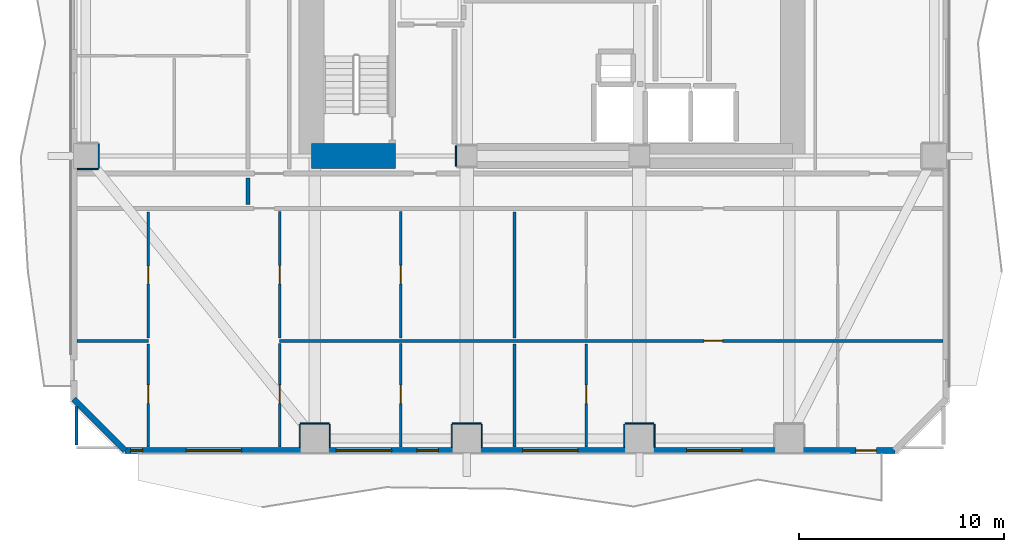
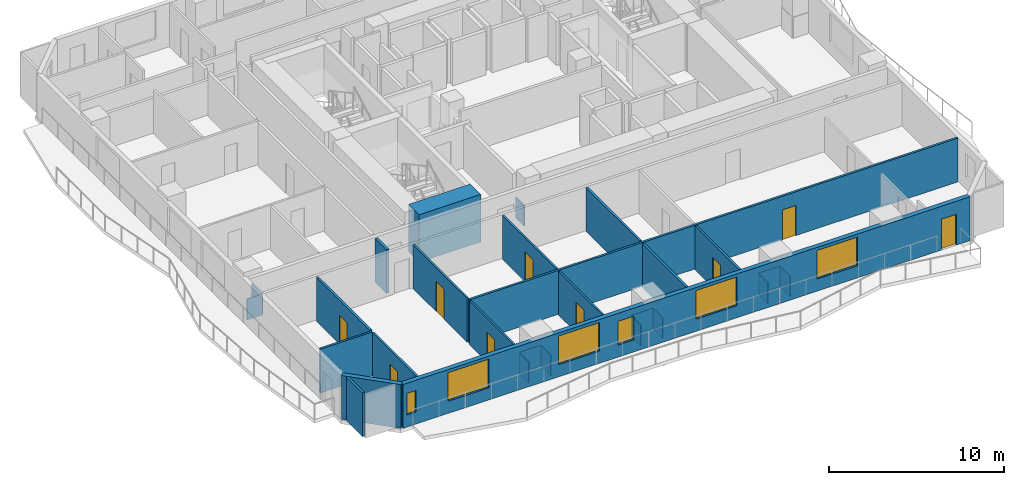
# One storey, part 2 of 11: 28 walls, 9 doors, 6 windows, 15 openings.
"""IFC4 building model written with IfcOpenShell, lengths in metres."""

from ifc_helpers import new_model, si_unit, direction, frame, frame_2d, origin, place, context, subcontext, project, spatial, rectangle, extrude, material, layer, layer_set, type_object, element, fill, save


model = new_model("IFC4")

# Units and contexts
model_context = context("Model", 3, precision=1e-05, world=origin(), true_north=direction((0.0, 1.0)))
body_context = subcontext(model_context, "Body", "Model", "MODEL_VIEW")
ifc_project = project(units=[si_unit("LENGTHUNIT", "METRE"), si_unit("AREAUNIT", "SQUARE_METRE"), si_unit("VOLUMEUNIT", "CUBIC_METRE"), si_unit("PLANEANGLEUNIT", "RADIAN"), si_unit("MASSUNIT", "GRAM", prefix="KILO")], contexts=[model_context])

# Site, building, storey
site_placement = place(None, origin())
site = spatial("IfcSite", under=ifc_project, at=site_placement, CompositionType="ELEMENT")
building_placement = place(site_placement, origin())
building = spatial("IfcBuilding", under=site, at=building_placement, Name="Solanera Arch Residences", CompositionType="ELEMENT")
storey_placement = place(building_placement, frame((0.0, 0.0, 28.639892578125)))
storey = spatial("IfcBuildingStorey", under=building, at=storey_placement, Name="L07", CompositionType="ELEMENT", Elevation=28.639892578125)

# Walls
ifc_material_1 = material(Name="Fire-Rated Gypsum Stud Partition", Category="gypsum")
ifc_layer_1 = layer(ifc_material_1, 0.06005859375)
ifc_layer_set_1 = layer_set([ifc_layer_1], Name="Fire-Rated Gypsum Stud Partition")
wall_type_1 = type_object("IfcWallType", Name="Column Acoustic Furring Wall 60", PredefinedType="PARTITIONING", material=ifc_layer_set_1)
wall_1_placement = place(storey_placement, frame((20.26806640625, 21.5, 0.0), z_axis=(0.0, 0.0, 1.0), x_axis=(0.0, 1.0, 0.0)))
element("IfcWall", 1, at=wall_1_placement, inside=storey, type_object=wall_type_1, Name="L07 Column Furring 1W", PredefinedType="PARTITIONING", context=body_context, shape_type="SweptSolid", body=[
    extrude(rectangle(XDim=1.0, YDim=0.06005859375, at=frame_2d((0.5, 0.0))), origin(), (0.0, 0.0, 1.0), 1.4501953125),
])
wall_2_placement = place(storey_placement, frame((12.699951171875, 8.98193359375, 0.0), z_axis=(0.0, 0.0, 1.0), x_axis=(1.0, 0.0, 0.0)))
element("IfcWall", 2, at=wall_2_placement, inside=storey, type_object=wall_type_1, Name="L07 Column Furring 9N", PredefinedType="PARTITIONING", context=body_context, shape_type="SweptSolid", body=[
    extrude(rectangle(XDim=1.400146484375, YDim=0.06005859375, at=frame_2d((0.7001953125, 0.0))), origin(), (0.0, 0.0, 1.0), 1.4501953125),
])
for number, where, z_axis, x_axis, name in (
    (3, (12.66796875, 7.830078125, 0.0), (0.0, 0.0, 1.0), (0.0, 1.0, 0.0), "L07 Column Furring 9W"),
    (4, (14.132080078125, 7.830078125, 0.0), (0.0, 0.0, 1.0), (0.0, 1.0, 0.0), "L07 Column Furring 9E"),
):
    element("IfcWall", number, at=place(storey_placement, frame(where, z_axis=z_axis, x_axis=x_axis)), inside=storey, type_object=wall_type_1, Name=name, PredefinedType="PARTITIONING", context=body_context, shape_type="SweptSolid", body=[
        extrude(rectangle(XDim=1.119873046875, YDim=0.06005859375, at=frame_2d((0.56005859375, 0.0))), origin(), (0.0, 0.0, 1.0), 1.4501953125),
    ])
wall_3_placement = place(storey_placement, frame((20.10009765625, 8.98193359375, 0.0), z_axis=(0.0, 0.0, 1.0), x_axis=(1.0, 0.0, 0.0)))
element("IfcWall", 5, at=wall_3_placement, inside=storey, type_object=wall_type_1, Name="L07 Column Furring 11N", PredefinedType="PARTITIONING", context=body_context, shape_type="SweptSolid", body=[
    extrude(rectangle(XDim=1.39990234375, YDim=0.06005859375, at=frame_2d((0.699951171875, 0.0))), origin(), (0.0, 0.0, 1.0), 1.4501953125),
])
for number, where, z_axis, x_axis, name in (
    (6, (20.068115234375, 7.830078125, 0.0), (0.0, 0.0, 1.0), (0.0, 1.0, 0.0), "L07 Column Furring 11W"),
    (7, (21.531982421875, 7.830078125, 0.0), (0.0, 0.0, 1.0), (0.0, 1.0, 0.0), "L07 Column Furring 11E"),
):
    element("IfcWall", number, at=place(storey_placement, frame(where, z_axis=z_axis, x_axis=x_axis)), inside=storey, type_object=wall_type_1, Name=name, PredefinedType="PARTITIONING", context=body_context, shape_type="SweptSolid", body=[
        extrude(rectangle(XDim=1.119873046875, YDim=0.06005859375, at=frame_2d((0.56005859375, 0.0))), origin(), (0.0, 0.0, 1.0), 1.4501953125),
    ])
wall_4_placement = place(storey_placement, frame((28.5, 8.98193359375, 0.0), z_axis=(0.0, 0.0, 1.0), x_axis=(1.0, 0.0, 0.0)))
element("IfcWall", 8, at=wall_4_placement, inside=storey, type_object=wall_type_1, Name="L07 Column Furring 13N", PredefinedType="PARTITIONING", context=body_context, shape_type="SweptSolid", body=[
    extrude(rectangle(XDim=1.39990234375, YDim=0.06005859375, at=frame_2d((0.699951171875, 0.0))), origin(), (0.0, 0.0, 1.0), 1.4501953125),
])
for number, where, z_axis, x_axis, name in (
    (9, (28.468017578125, 7.830078125, 0.0), (0.0, 0.0, 1.0), (0.0, 1.0, 0.0), "L07 Column Furring 13W"),
    (10, (29.931884765625, 7.830078125, 0.0), (0.0, 0.0, 1.0), (0.0, 1.0, 0.0), "L07 Column Furring 13E"),
):
    element("IfcWall", number, at=place(storey_placement, frame(where, z_axis=z_axis, x_axis=x_axis)), inside=storey, type_object=wall_type_1, Name=name, PredefinedType="PARTITIONING", context=body_context, shape_type="SweptSolid", body=[
        extrude(rectangle(XDim=1.119873046875, YDim=0.06005859375, at=frame_2d((0.56005859375, 0.0))), origin(), (0.0, 0.0, 1.0), 1.4501953125),
    ])
wall_5_placement = place(storey_placement, frame((1.830078125, 21.367919921875, 0.0), z_axis=(0.0, 0.0, 1.0), x_axis=(1.0, 0.0, 0.0)))
element("IfcWall", 11, at=wall_5_placement, inside=storey, type_object=wall_type_1, Name="L07 Column Furring 17S", PredefinedType="PARTITIONING", context=body_context, shape_type="SweptSolid", body=[
    extrude(rectangle(XDim=1.02001953125, YDim=0.06005859375, at=frame_2d((0.510009765625, 0.0))), origin(), (0.0, 0.0, 1.0), 1.4501953125),
])
wall_6_placement = place(storey_placement, frame((2.882080078125, 21.39990234375, 0.0), z_axis=(0.0, 0.0, 1.0), x_axis=(0.0, 1.0, 0.0)))
element("IfcWall", 12, at=wall_6_placement, inside=storey, type_object=wall_type_1, Name="L07 Column Furring 17E", PredefinedType="PARTITIONING", context=body_context, shape_type="SweptSolid", body=[
    extrude(rectangle(XDim=1.2001953125, YDim=0.06005859375, at=frame_2d((0.60009765625, 0.0))), origin(), (0.0, 0.0, 1.0), 1.4501953125),
])
ifc_material_2 = material(Name="Concrete C55/67 (f'c = 60 MPa)", Category="concrete")
ifc_layer_2 = layer(ifc_material_2, 1.199951171875)
ifc_layer_set_2 = layer_set([ifc_layer_2], Name="Concrete C55/67 (f'c = 60 MPa)")
wall_type_2 = type_object("IfcWallType", Name="Core Shear Wall CW-1200", PredefinedType="SHEAR", material=ifc_layer_set_2)
wall_7_placement = place(storey_placement, frame((13.239990234375, 22.0, 0.0), z_axis=(0.0, 0.0, 1.0), x_axis=(1.0, 0.0, 0.0)))
element("IfcWall", 13, at=wall_7_placement, inside=storey, type_object=wall_type_2, Name="L07 South-West Core Shear Wall", PredefinedType="SHEAR", context=body_context, shape_type="SweptSolid", body=[
    extrude(rectangle(XDim=4.080078125, YDim=1.199951171875, at=frame_2d((2.0400390625, 0.0))), origin(), (0.0, 0.0, 1.0), 3.320068359375),
])
ifc_material_3 = material(Name="Autoclaved Aerated Concrete Blockwork", Category="masonry")
ifc_layer_3 = layer(ifc_material_3, 0.179931640625)
ifc_layer_set_3 = layer_set([ifc_layer_3], Name="Autoclaved Aerated Concrete Blockwork")
wall_type_3 = type_object("IfcWallType", Name="Corridor Fire Partition 180", PredefinedType="PARTITIONING", material=ifc_layer_set_3)
wall_8_placement = place(storey_placement, frame((10.14990234375, 19.637939453125, 0.0), z_axis=(0.0, 0.0, 1.0), x_axis=(0.0, 1.0, 0.0)))
element("IfcWall", 14, at=wall_8_placement, inside=storey, type_object=wall_type_3, Name="L07 Interior Partition V8 1", PredefinedType="PARTITIONING", context=body_context, shape_type="SweptSolid", body=[
    extrude(rectangle(XDim=1.2939453125, YDim=0.179931640625, at=frame_2d((0.64697265625, 0.0))), origin(), (0.0, 0.0, 1.0), 3.06005859375),
])

# Wall, openings, door, windows
ifc_material_4 = material(Name="Precast Concrete C35/45", Category="concrete")
ifc_layer_4 = layer(ifc_material_4, 0.300048828125)
ifc_layer_set_4 = layer_set([ifc_layer_4], Name="Precast Concrete C35/45")
wall_type_4 = type_object("IfcWallType", Name="Exterior Wall Precast Masonry-Frame 300", PredefinedType="STANDARD", material=ifc_layer_set_4)
wall_9_placement = place(storey_placement, frame((41.635009765625, 7.6650390625, 0.0), z_axis=(0.0, 0.0, 1.0), x_axis=(-1.0, 0.0, 0.0)))
wall_9 = element("IfcWall", 15, at=wall_9_placement, inside=storey, type_object=wall_type_4, Name="L07 Tower Exterior Precast Masonry-Frame Wall S", PredefinedType="STANDARD", context=body_context, shape_type="SweptSolid", body=[
    extrude(rectangle(XDim=37.469970703125, YDim=0.300048828125, at=frame_2d((18.73486328125, 0.0))), origin(), (0.0, 0.0, 1.0), 3.06005859375),
])
opening_1_placement = place(wall_9_placement, frame((0.90087890625, 0.0, 0.0)))
opening_1 = element("IfcOpeningElement", 16, at=opening_1_placement, cuts=wall_9, Name="Opening DB-01", PredefinedType="OPENING", context=body_context, shape_type="SweptSolid", body=[
    extrude(rectangle(XDim=1.0, YDim=2.14990234375, at=frame_2d((0.5, 1.074951171875))), frame((0.0, 0.159912109375, 0.0), z_axis=(0.0, -1.0, 0.0), x_axis=(1.0, 0.0, 0.0)), (0.0, 0.0, 1.0), 0.32),
])
opening_2_placement = place(wall_9_placement, frame((31.794921875, 0.0, 0.85009765625)))
opening_2 = element("IfcOpeningElement", 17, at=opening_2_placement, cuts=wall_9, Name="Opening W-09", PredefinedType="OPENING", context=body_context, shape_type="SweptSolid", body=[
    extrude(rectangle(XDim=2.699951171875, YDim=2.0, at=frame_2d((1.35009765625, 1.0))), frame((0.0, 0.159912109375, 0.0), z_axis=(0.0, -1.0, 0.0), x_axis=(1.0, 0.0, 0.0)), (0.0, 0.0, 1.0), 0.32),
])
opening_3_placement = place(wall_9_placement, frame((36.62109375, 0.0, 0.85009765625)))
opening_3 = element("IfcOpeningElement", 18, at=opening_3_placement, cuts=wall_9, Name="Opening W-14", PredefinedType="OPENING", context=body_context, shape_type="SweptSolid", body=[
    extrude(rectangle(XDim=0.580078125, YDim=1.5, at=frame_2d((0.2900390625, 0.75))), frame((0.0, 0.159912109375, 0.0), z_axis=(0.0, -1.0, 0.0), x_axis=(1.0, 0.0, 0.0)), (0.0, 0.0, 1.0), 0.32),
])
opening_4_placement = place(wall_9_placement, frame((24.4951171875, 0.0, 0.85009765625)))
opening_4 = element("IfcOpeningElement", 19, at=opening_4_placement, cuts=wall_9, Name="Opening W-09", PredefinedType="OPENING", context=body_context, shape_type="SweptSolid", body=[
    extrude(rectangle(XDim=2.699951171875, YDim=2.0, at=frame_2d((1.35009765625, 1.0))), frame((0.0, 0.159912109375, 0.0), z_axis=(0.0, -1.0, 0.0), x_axis=(1.0, 0.0, 0.0)), (0.0, 0.0, 1.0), 0.32),
])
opening_5_placement = place(wall_9_placement, frame((22.220947265625, 0.0, 0.85009765625)))
opening_5 = element("IfcOpeningElement", 20, at=opening_5_placement, cuts=wall_9, Name="Opening W-07", PredefinedType="OPENING", context=body_context, shape_type="SweptSolid", body=[
    extrude(rectangle(XDim=1.050048828125, YDim=1.64990234375, at=frame_2d((0.52490234375, 0.824951171875))), frame((0.0, 0.159912109375, 0.0), z_axis=(0.0, -1.0, 0.0), x_axis=(1.0, 0.0, 0.0)), (0.0, 0.0, 1.0), 0.32),
])
opening_6_placement = place(wall_9_placement, frame((7.43505859375, 0.0, 0.85009765625)))
opening_6 = element("IfcOpeningElement", 21, at=opening_6_placement, cuts=wall_9, Name="Opening W-09", PredefinedType="OPENING", context=body_context, shape_type="SweptSolid", body=[
    extrude(rectangle(XDim=2.699951171875, YDim=2.0, at=frame_2d((1.35009765625, 1.0))), frame((0.0, 0.159912109375, 0.0), z_axis=(0.0, -1.0, 0.0), x_axis=(1.0, 0.0, 0.0)), (0.0, 0.0, 1.0), 0.32),
])
opening_7_placement = place(wall_9_placement, frame((15.4189453125, 0.0, 0.85009765625)))
opening_7 = element("IfcOpeningElement", 22, at=opening_7_placement, cuts=wall_9, Name="Opening W-09", PredefinedType="OPENING", context=body_context, shape_type="SweptSolid", body=[
    extrude(rectangle(XDim=2.699951171875, YDim=2.0, at=frame_2d((1.35009765625, 1.0))), frame((0.0, 0.159912109375, 0.0), z_axis=(0.0, -1.0, 0.0), x_axis=(1.0, 0.0, 0.0)), (0.0, 0.0, 1.0), 0.32),
])
ifc_material_5 = material(Name="Anodised Aluminium Alloy 6063-T6", Category="aluminium")
door_type_1 = type_object("IfcDoorType", Name="Glazed Balcony Swing Door DB-01", OperationType="NOTDEFINED", PredefinedType="DOOR", material=ifc_material_5)
door_1_placement = place(opening_1_placement, origin())
door_1 = element("IfcDoor", 23, at=door_1_placement, inside=storey, type_object=door_type_1, Name="DR-L07-OUT-01", OperationType="SINGLE_SWING_LEFT", OverallHeight=2.14990234375, OverallWidth=1.0, PredefinedType="DOOR", context=body_context, shape_type="SweptSolid", body=[
    extrude(rectangle(XDim=1.0, YDim=2.14990234375, at=frame_2d((0.5, 1.074951171875))), frame((0.0, 0.02490234375, 0.0), z_axis=(0.0, -1.0, 0.0), x_axis=(1.0, 0.0, 0.0)), (0.0, 0.0, 1.0), 0.050048828125),
])
fill(opening_1, door_1)
ifc_material_6 = material(Name="Double Glazed Low-E Laminated Glass", Category="glass")
window_type_1 = type_object("IfcWindowType", Name="Punched Window W-07", PartitioningType="SINGLE_PANEL", PredefinedType="WINDOW", material=ifc_material_6)
window_1_placement = place(opening_5_placement, origin())
window_1 = element("IfcWindow", 24, at=window_1_placement, inside=storey, type_object=window_type_1, Name="L07 0701-BR3 Punched Window", OverallHeight=1.64990234375, OverallWidth=1.050048828125, PartitioningType="SINGLE_PANEL", PredefinedType="WINDOW", context=body_context, shape_type="SweptSolid", body=[
    extrude(rectangle(XDim=1.050048828125, YDim=1.64990234375, at=frame_2d((0.52490234375, 0.824951171875))), frame((0.0, 0.030029296875, 0.0), z_axis=(0.0, -1.0, 0.0), x_axis=(1.0, 0.0, 0.0)), (0.0, 0.0, 1.0), 0.06005859375),
])
fill(opening_5, window_1)
ifc_material_7 = material(Name="Double Glazed Low-E Laminated Glass", Category="glass")
window_type_2 = type_object("IfcWindowType", Name="Punched Window W-09", PartitioningType="TRIPLE_PANEL_VERTICAL", PredefinedType="WINDOW", material=ifc_material_7)
window_2_placement = place(opening_2_placement, origin())
window_2 = element("IfcWindow", 25, at=window_2_placement, inside=storey, type_object=window_type_2, Name="L07 0701-LIV Punched Window", OverallHeight=2.0, OverallWidth=2.699951171875, PartitioningType="SINGLE_PANEL", PredefinedType="WINDOW", context=body_context, shape_type="SweptSolid", body=[
    extrude(rectangle(XDim=2.699951171875, YDim=2.0, at=frame_2d((1.35009765625, 1.0))), frame((0.0, 0.030029296875, 0.0), z_axis=(0.0, -1.0, 0.0), x_axis=(1.0, 0.0, 0.0)), (0.0, 0.0, 1.0), 0.06005859375),
])
fill(opening_2, window_2)
window_3_placement = place(opening_4_placement, origin())
window_3 = element("IfcWindow", 26, at=window_3_placement, inside=storey, type_object=window_type_2, Name="L07 0701-BR2 Punched Window", OverallHeight=2.0, OverallWidth=2.699951171875, PartitioningType="SINGLE_PANEL", PredefinedType="WINDOW", context=body_context, shape_type="SweptSolid", body=[
    extrude(rectangle(XDim=2.699951171875, YDim=2.0, at=frame_2d((1.35009765625, 1.0))), frame((0.0, 0.030029296875, 0.0), z_axis=(0.0, -1.0, 0.0), x_axis=(1.0, 0.0, 0.0)), (0.0, 0.0, 1.0), 0.06005859375),
])
fill(opening_4, window_3)
window_4_placement = place(opening_6_placement, origin())
window_4 = element("IfcWindow", 27, at=window_4_placement, inside=storey, type_object=window_type_2, Name="L07 0702-LIV Punched Window", OverallHeight=2.0, OverallWidth=2.699951171875, PartitioningType="SINGLE_PANEL", PredefinedType="WINDOW", context=body_context, shape_type="SweptSolid", body=[
    extrude(rectangle(XDim=2.699951171875, YDim=2.0, at=frame_2d((1.35009765625, 1.0))), frame((0.0, 0.030029296875, 0.0), z_axis=(0.0, -1.0, 0.0), x_axis=(1.0, 0.0, 0.0)), (0.0, 0.0, 1.0), 0.06005859375),
])
fill(opening_6, window_4)
window_5_placement = place(opening_7_placement, origin())
window_5 = element("IfcWindow", 28, at=window_5_placement, inside=storey, type_object=window_type_2, Name="L07 0702-BR1 Punched Window", OverallHeight=2.0, OverallWidth=2.699951171875, PartitioningType="SINGLE_PANEL", PredefinedType="WINDOW", context=body_context, shape_type="SweptSolid", body=[
    extrude(rectangle(XDim=2.699951171875, YDim=2.0, at=frame_2d((1.35009765625, 1.0))), frame((0.0, 0.030029296875, 0.0), z_axis=(0.0, -1.0, 0.0), x_axis=(1.0, 0.0, 0.0)), (0.0, 0.0, 1.0), 0.06005859375),
])
fill(opening_7, window_5)
ifc_material_8 = material(Name="Double Glazed Low-E Laminated Glass", Category="glass")
window_type_3 = type_object("IfcWindowType", Name="Punched Window W-14", PartitioningType="SINGLE_PANEL", PredefinedType="WINDOW", material=ifc_material_8)
window_6_placement = place(opening_3_placement, origin())
window_6 = element("IfcWindow", 29, at=window_6_placement, inside=storey, type_object=window_type_3, Name="L07 0701-BR1 Punched Window", OverallHeight=1.5, OverallWidth=0.580078125, PartitioningType="SINGLE_PANEL", PredefinedType="WINDOW", context=body_context, shape_type="SweptSolid", body=[
    extrude(rectangle(XDim=0.580078125, YDim=1.5, at=frame_2d((0.2900390625, 0.75))), frame((0.0, 0.030029296875, 0.0), z_axis=(0.0, -1.0, 0.0), x_axis=(1.0, 0.0, 0.0)), (0.0, 0.0, 1.0), 0.06005859375),
])
fill(opening_3, window_6)

# Wall
wall_10_placement = place(storey_placement, frame((4.1650390625, 7.6650390625, 0.0), z_axis=(0.0, 0.0, 1.0), x_axis=(-0.707106781187, 0.707106781187, 0.0)))
element("IfcWall", 30, at=wall_10_placement, inside=storey, type_object=wall_type_4, Name="L07 Tower Exterior Precast Masonry-Frame Wall CH7", PredefinedType="STANDARD", context=body_context, shape_type="SweptSolid", body=[
    extrude(rectangle(XDim=3.53564453125, YDim=0.300048828125, at=frame_2d((1.767822265625, 0.0))), origin(), (0.0, 0.0, 1.0), 3.06005859375),
])

# Wall, opening, door
ifc_material_9 = material(Name="Fire-Rated Gypsum Stud Partition", Category="gypsum")
ifc_layer_5 = layer(ifc_material_9, 0.1201171875)
ifc_layer_set_5 = layer_set([ifc_layer_5], Name="Fire-Rated Gypsum Stud Partition")
wall_type_5 = type_object("IfcWallType", Name="Unit Drywall Partition 120", PredefinedType="PARTITIONING", material=ifc_layer_set_5)
wall_11_placement = place(storey_placement, frame((11.68798828125, 7.826904296875, 0.0), z_axis=(0.0, 0.0, 1.0), x_axis=(0.0, 1.0, 0.0)))
wall_11 = element("IfcWall", 31, at=wall_11_placement, inside=storey, type_object=wall_type_5, Name="L07 Interior Partition V22 1", PredefinedType="PARTITIONING", context=body_context, shape_type="SweptSolid", body=[
    extrude(rectangle(XDim=5.03515625, YDim=0.1201171875, at=frame_2d((2.517578125, 0.0))), origin(), (0.0, 0.0, 1.0), 3.06005859375),
])
opening_8_placement = place(wall_11_placement, frame((2.135986328125, 0.0, 0.0)))
opening_8 = element("IfcOpeningElement", 32, at=opening_8_placement, cuts=wall_11, Name="Opening DI-03", PredefinedType="OPENING", context=body_context, shape_type="SweptSolid", body=[
    extrude(rectangle(XDim=0.89990234375, YDim=2.10009765625, at=frame_2d((0.449951171875, 1.050048828125))), frame((0.0, 0.070068359375, 0.0), z_axis=(0.0, -1.0, 0.0), x_axis=(1.0, 0.0, 0.0)), (0.0, 0.0, 1.0), 0.1401),
])
ifc_material_10 = material(Name="Fire-Rated Architectural Hardwood", Category="wood")
door_type_2 = type_object("IfcDoorType", Name="Bedroom Swing Door DI-03", OperationType="NOTDEFINED", PredefinedType="DOOR", material=ifc_material_10)
door_2_placement = place(opening_8_placement, origin())
door_2 = element("IfcDoor", 33, at=door_2_placement, inside=storey, type_object=door_type_2, Name="DR-L07-IN-020", OperationType="SINGLE_SWING_LEFT", OverallHeight=2.10009765625, OverallWidth=0.89990234375, PredefinedType="DOOR", context=body_context, shape_type="SweptSolid", body=[
    extrude(rectangle(XDim=0.89990234375, YDim=2.10009765625, at=frame_2d((0.449951171875, 1.050048828125))), frame((0.0, 0.02490234375, 0.0), z_axis=(0.0, -1.0, 0.0), x_axis=(1.0, 0.0, 0.0)), (0.0, 0.0, 1.0), 0.050048828125),
])
fill(opening_8, door_2)

wall_12_placement = place(storey_placement, frame((11.68798828125, 13.137939453125, 0.0), z_axis=(0.0, 0.0, 1.0), x_axis=(0.0, 1.0, 0.0)))
wall_12 = element("IfcWall", 34, at=wall_12_placement, inside=storey, type_object=wall_type_5, Name="L07 Interior Partition V22 2", PredefinedType="PARTITIONING", context=body_context, shape_type="SweptSolid", body=[
    extrude(rectangle(XDim=6.154052734375, YDim=0.1201171875, at=frame_2d((3.0771484375, 0.0))), origin(), (0.0, 0.0, 1.0), 3.06005859375),
])
opening_9_placement = place(wall_12_placement, frame((2.6240234375, 0.0, 0.0)))
opening_9 = element("IfcOpeningElement", 35, at=opening_9_placement, cuts=wall_12, Name="Opening DI-02", PredefinedType="OPENING", context=body_context, shape_type="SweptSolid", body=[
    extrude(rectangle(XDim=0.89990234375, YDim=2.10009765625, at=frame_2d((0.449951171875, 1.050048828125))), frame((0.0, 0.070068359375, 0.0), z_axis=(0.0, -1.0, 0.0), x_axis=(1.0, 0.0, 0.0)), (0.0, 0.0, 1.0), 0.1401),
])
ifc_material_11 = material(Name="Fire-Rated Architectural Hardwood", Category="wood")
door_type_3 = type_object("IfcDoorType", Name="Suite Room Swing Door DI-02", OperationType="NOTDEFINED", PredefinedType="DOOR", material=ifc_material_11)
door_3_placement = place(opening_9_placement, origin())
door_3 = element("IfcDoor", 36, at=door_3_placement, inside=storey, type_object=door_type_3, Name="DR-L07-IN-018", OperationType="SINGLE_SWING_LEFT", OverallHeight=2.10009765625, OverallWidth=0.89990234375, PredefinedType="DOOR", context=body_context, shape_type="SweptSolid", body=[
    extrude(rectangle(XDim=0.89990234375, YDim=2.10009765625, at=frame_2d((0.449951171875, 1.050048828125))), frame((0.0, 0.02490234375, 0.0), z_axis=(0.0, -1.0, 0.0), x_axis=(1.0, 0.0, 0.0)), (0.0, 0.0, 1.0), 0.050048828125),
])
fill(opening_9, door_3)

wall_13_placement = place(storey_placement, frame((17.5791015625, 7.826904296875, 0.0), z_axis=(0.0, 0.0, 1.0), x_axis=(0.0, 1.0, 0.0)))
wall_13 = element("IfcWall", 37, at=wall_13_placement, inside=storey, type_object=wall_type_5, Name="L07 Interior Partition V24 1", PredefinedType="PARTITIONING", context=body_context, shape_type="SweptSolid", body=[
    extrude(rectangle(XDim=5.03515625, YDim=0.1201171875, at=frame_2d((2.517578125, 0.0))), origin(), (0.0, 0.0, 1.0), 3.06005859375),
])
opening_10_placement = place(wall_13_placement, frame((2.123046875, 0.0, 0.0)))
opening_10 = element("IfcOpeningElement", 38, at=opening_10_placement, cuts=wall_13, Name="Opening DI-03", PredefinedType="OPENING", context=body_context, shape_type="SweptSolid", body=[
    extrude(rectangle(XDim=0.89990234375, YDim=2.10009765625, at=frame_2d((0.449951171875, 1.050048828125))), frame((0.0, 0.070068359375, 0.0), z_axis=(0.0, -1.0, 0.0), x_axis=(1.0, 0.0, 0.0)), (0.0, 0.0, 1.0), 0.1401),
])
door_4_placement = place(opening_10_placement, origin())
door_4 = element("IfcDoor", 39, at=door_4_placement, inside=storey, type_object=door_type_2, Name="DR-L07-IN-021", OperationType="SINGLE_SWING_RIGHT", OverallHeight=2.10009765625, OverallWidth=0.89990234375, PredefinedType="DOOR", context=body_context, shape_type="SweptSolid", body=[
    extrude(rectangle(XDim=0.89990234375, YDim=2.10009765625, at=frame_2d((0.449951171875, 1.050048828125))), frame((0.0, 0.02490234375, 0.0), z_axis=(0.0, -1.0, 0.0), x_axis=(1.0, 0.0, 0.0)), (0.0, 0.0, 1.0), 0.050048828125),
])
fill(opening_10, door_4)

wall_14_placement = place(storey_placement, frame((17.5791015625, 13.137939453125, 0.0), z_axis=(0.0, 0.0, 1.0), x_axis=(0.0, 1.0, 0.0)))
wall_14 = element("IfcWall", 40, at=wall_14_placement, inside=storey, type_object=wall_type_5, Name="L07 Interior Partition V24 2", PredefinedType="PARTITIONING", context=body_context, shape_type="SweptSolid", body=[
    extrude(rectangle(XDim=6.154052734375, YDim=0.1201171875, at=frame_2d((3.0771484375, 0.0))), origin(), (0.0, 0.0, 1.0), 3.06005859375),
])
opening_11_placement = place(wall_14_placement, frame((2.636962890625, 0.0, 0.0)))
opening_11 = element("IfcOpeningElement", 41, at=opening_11_placement, cuts=wall_14, Name="Opening DI-02", PredefinedType="OPENING", context=body_context, shape_type="SweptSolid", body=[
    extrude(rectangle(XDim=0.89990234375, YDim=2.10009765625, at=frame_2d((0.449951171875, 1.050048828125))), frame((0.0, 0.070068359375, 0.0), z_axis=(0.0, -1.0, 0.0), x_axis=(1.0, 0.0, 0.0)), (0.0, 0.0, 1.0), 0.1401),
])
door_5_placement = place(opening_11_placement, origin())
door_5 = element("IfcDoor", 42, at=door_5_placement, inside=storey, type_object=door_type_3, Name="DR-L07-IN-019", OperationType="SINGLE_SWING_RIGHT", OverallHeight=2.10009765625, OverallWidth=0.89990234375, PredefinedType="DOOR", context=body_context, shape_type="SweptSolid", body=[
    extrude(rectangle(XDim=0.89990234375, YDim=2.10009765625, at=frame_2d((0.449951171875, 1.050048828125))), frame((0.0, 0.02490234375, 0.0), z_axis=(0.0, -1.0, 0.0), x_axis=(1.0, 0.0, 0.0)), (0.0, 0.0, 1.0), 0.050048828125),
])
fill(opening_11, door_5)

# Wall
ifc_material_12 = material(Name="Autoclaved Aerated Concrete Blockwork", Category="masonry")
ifc_layer_6 = layer(ifc_material_12, 0.139892578125)
ifc_layer_set_6 = layer_set([ifc_layer_6], Name="Autoclaved Aerated Concrete Blockwork")
wall_type_6 = type_object("IfcWallType", Name="Wet-Room Partition 140", PredefinedType="PARTITIONING", material=ifc_layer_set_6)
wall_15_placement = place(storey_placement, frame((1.826904296875, 13.0, 0.0), z_axis=(0.0, 0.0, 1.0), x_axis=(1.0, 0.0, 0.0)))
element("IfcWall", 43, at=wall_15_placement, inside=storey, type_object=wall_type_6, Name="L07 Interior Partition H13", PredefinedType="PARTITIONING", context=body_context, shape_type="SweptSolid", body=[
    extrude(rectangle(XDim=3.465087890625, YDim=0.139892578125, at=frame_2d((1.732421875, 0.0))), origin(), (0.0, 0.0, 1.0), 3.06005859375),
])

# Wall, opening, door
wall_16_placement = place(storey_placement, frame((11.68798828125, 13.0, 0.0), z_axis=(0.0, 0.0, 1.0), x_axis=(1.0, 0.0, 0.0)))
wall_16 = element("IfcWall", 44, at=wall_16_placement, inside=storey, type_object=wall_type_6, Name="L07 Interior Partition H14", PredefinedType="PARTITIONING", context=body_context, shape_type="SweptSolid", body=[
    extrude(rectangle(XDim=32.284912109375, YDim=0.139892578125, at=frame_2d((16.142578125, 0.0))), origin(), (0.0, 0.0, 1.0), 3.06005859375),
])
opening_12_placement = place(wall_16_placement, frame((20.6640625, 0.0, 0.0)))
opening_12 = element("IfcOpeningElement", 45, at=opening_12_placement, cuts=wall_16, Name="Opening DI-02", PredefinedType="OPENING", context=body_context, shape_type="SweptSolid", body=[
    extrude(rectangle(XDim=0.89990234375, YDim=2.10009765625, at=frame_2d((0.449951171875, 1.050048828125))), frame((0.0, 0.079833984375, 0.0), z_axis=(0.0, -1.0, 0.0), x_axis=(1.0, 0.0, 0.0)), (0.0, 0.0, 1.0), 0.1599),
])
door_6_placement = place(opening_12_placement, origin())
door_6 = element("IfcDoor", 46, at=door_6_placement, inside=storey, type_object=door_type_3, Name="DR-L07-IN-023", OperationType="SINGLE_SWING_RIGHT", OverallHeight=2.10009765625, OverallWidth=0.89990234375, PredefinedType="DOOR", context=body_context, shape_type="SweptSolid", body=[
    extrude(rectangle(XDim=0.89990234375, YDim=2.10009765625, at=frame_2d((0.449951171875, 1.050048828125))), frame((0.0, 0.02490234375, 0.0), z_axis=(0.0, -1.0, 0.0), x_axis=(1.0, 0.0, 0.0)), (0.0, 0.0, 1.0), 0.050048828125),
])
fill(opening_12, door_6)

# Wall
wall_17_placement = place(storey_placement, frame((1.800048828125, 7.93798828125, 0.0), z_axis=(0.0, 0.0, 1.0), x_axis=(0.0, 1.0, 0.0)))
element("IfcWall", 47, at=wall_17_placement, inside=storey, type_object=wall_type_6, Name="L07 Interior Partition V11", PredefinedType="PARTITIONING", context=body_context, shape_type="SweptSolid", body=[
    extrude(rectangle(XDim=1.863037109375, YDim=0.139892578125, at=frame_2d((0.931640625, 0.0))), origin(), (0.0, 0.0, 1.0), 3.06005859375),
])

# Wall, opening, door
wall_18_placement = place(storey_placement, frame((5.2919921875, 7.826904296875, 0.0), z_axis=(0.0, 0.0, 1.0), x_axis=(0.0, 1.0, 0.0)))
wall_18 = element("IfcWall", 48, at=wall_18_placement, inside=storey, type_object=wall_type_6, Name="L07 Interior Partition V14 1", PredefinedType="PARTITIONING", context=body_context, shape_type="SweptSolid", body=[
    extrude(rectangle(XDim=5.025146484375, YDim=0.139892578125, at=frame_2d((2.5126953125, 0.0))), origin(), (0.0, 0.0, 1.0), 3.06005859375),
])
opening_13_placement = place(wall_18_placement, frame((2.135986328125, 0.0, 0.0)))
opening_13 = element("IfcOpeningElement", 49, at=opening_13_placement, cuts=wall_18, Name="Opening DI-03", PredefinedType="OPENING", context=body_context, shape_type="SweptSolid", body=[
    extrude(rectangle(XDim=0.89990234375, YDim=2.10009765625, at=frame_2d((0.449951171875, 1.050048828125))), frame((0.0, 0.079833984375, 0.0), z_axis=(0.0, -1.0, 0.0), x_axis=(1.0, 0.0, 0.0)), (0.0, 0.0, 1.0), 0.1599),
])
door_7_placement = place(opening_13_placement, origin())
door_7 = element("IfcDoor", 50, at=door_7_placement, inside=storey, type_object=door_type_2, Name="DR-L07-IN-017", OperationType="SINGLE_SWING_RIGHT", OverallHeight=2.10009765625, OverallWidth=0.89990234375, PredefinedType="DOOR", context=body_context, shape_type="SweptSolid", body=[
    extrude(rectangle(XDim=0.89990234375, YDim=2.10009765625, at=frame_2d((0.449951171875, 1.050048828125))), frame((0.0, 0.02490234375, 0.0), z_axis=(0.0, -1.0, 0.0), x_axis=(1.0, 0.0, 0.0)), (0.0, 0.0, 1.0), 0.050048828125),
])
fill(opening_13, door_7)

wall_19_placement = place(storey_placement, frame((5.2919921875, 13.14794921875, 0.0), z_axis=(0.0, 0.0, 1.0), x_axis=(0.0, 1.0, 0.0)))
wall_19 = element("IfcWall", 51, at=wall_19_placement, inside=storey, type_object=wall_type_6, Name="L07 Interior Partition V14 2", PredefinedType="PARTITIONING", context=body_context, shape_type="SweptSolid", body=[
    extrude(rectangle(XDim=6.134033203125, YDim=0.139892578125, at=frame_2d((3.06689453125, 0.0))), origin(), (0.0, 0.0, 1.0), 3.06005859375),
])
opening_14_placement = place(wall_19_placement, frame((2.634033203125, 0.0, 0.0)))
opening_14 = element("IfcOpeningElement", 52, at=opening_14_placement, cuts=wall_19, Name="Opening DI-05", PredefinedType="OPENING", context=body_context, shape_type="SweptSolid", body=[
    extrude(rectangle(XDim=0.860107421875, YDim=2.02001953125, at=frame_2d((0.43017578125, 1.010009765625))), frame((0.0, 0.079833984375, 0.0), z_axis=(0.0, -1.0, 0.0), x_axis=(1.0, 0.0, 0.0)), (0.0, 0.0, 1.0), 0.1599),
])
ifc_material_13 = material(Name="Fire-Rated Architectural Hardwood", Category="wood")
door_type_4 = type_object("IfcDoorType", Name="Bathroom Swing Door DI-05", OperationType="NOTDEFINED", PredefinedType="DOOR", material=ifc_material_13)
door_8_placement = place(opening_14_placement, origin())
door_8 = element("IfcDoor", 53, at=door_8_placement, inside=storey, type_object=door_type_4, Name="DR-L07-IN-016", OperationType="SINGLE_SWING_LEFT", OverallHeight=2.02001953125, OverallWidth=0.860107421875, PredefinedType="DOOR", context=body_context, shape_type="SweptSolid", body=[
    extrude(rectangle(XDim=0.860107421875, YDim=2.02001953125, at=frame_2d((0.43017578125, 1.010009765625))), frame((0.0, 0.02490234375, 0.0), z_axis=(0.0, -1.0, 0.0), x_axis=(1.0, 0.0, 0.0)), (0.0, 0.0, 1.0), 0.050048828125),
])
fill(opening_14, door_8)

# Walls
wall_20_placement = place(storey_placement, frame((23.1201171875, 7.826904296875, 0.0), z_axis=(0.0, 0.0, 1.0), x_axis=(0.0, 1.0, 0.0)))
element("IfcWall", 54, at=wall_20_placement, inside=storey, type_object=wall_type_6, Name="L07 Interior Partition V18 1", PredefinedType="PARTITIONING", context=body_context, shape_type="SweptSolid", body=[
    extrude(rectangle(XDim=5.025146484375, YDim=0.139892578125, at=frame_2d((2.5126953125, 0.0))), origin(), (0.0, 0.0, 1.0), 3.06005859375),
])
wall_21_placement = place(storey_placement, frame((23.1201171875, 13.14794921875, 0.0), z_axis=(0.0, 0.0, 1.0), x_axis=(0.0, 1.0, 0.0)))
element("IfcWall", 55, at=wall_21_placement, inside=storey, type_object=wall_type_6, Name="L07 Interior Partition V18 2", PredefinedType="PARTITIONING", context=body_context, shape_type="SweptSolid", body=[
    extrude(rectangle(XDim=6.134033203125, YDim=0.139892578125, at=frame_2d((3.06689453125, 0.0))), origin(), (0.0, 0.0, 1.0), 3.06005859375),
])

# Wall, opening, door
wall_22_placement = place(storey_placement, frame((26.612060546875, 7.826904296875, 0.0), z_axis=(0.0, 0.0, 1.0), x_axis=(0.0, 1.0, 0.0)))
wall_22 = element("IfcWall", 56, at=wall_22_placement, inside=storey, type_object=wall_type_6, Name="L07 Interior Partition V20 1", PredefinedType="PARTITIONING", context=body_context, shape_type="SweptSolid", body=[
    extrude(rectangle(XDim=5.025146484375, YDim=0.139892578125, at=frame_2d((2.5126953125, 0.0))), origin(), (0.0, 0.0, 1.0), 3.06005859375),
])
opening_15_placement = place(wall_22_placement, frame((2.123046875, 0.0, 0.0)))
opening_15 = element("IfcOpeningElement", 57, at=opening_15_placement, cuts=wall_22, Name="Opening DI-03", PredefinedType="OPENING", context=body_context, shape_type="SweptSolid", body=[
    extrude(rectangle(XDim=0.89990234375, YDim=2.10009765625, at=frame_2d((0.449951171875, 1.050048828125))), frame((0.0, 0.079833984375, 0.0), z_axis=(0.0, -1.0, 0.0), x_axis=(1.0, 0.0, 0.0)), (0.0, 0.0, 1.0), 0.1599),
])
door_9_placement = place(opening_15_placement, origin())
door_9 = element("IfcDoor", 58, at=door_9_placement, inside=storey, type_object=door_type_2, Name="DR-L07-IN-025", OperationType="SINGLE_SWING_RIGHT", OverallHeight=2.10009765625, OverallWidth=0.89990234375, PredefinedType="DOOR", context=body_context, shape_type="SweptSolid", body=[
    extrude(rectangle(XDim=0.89990234375, YDim=2.10009765625, at=frame_2d((0.449951171875, 1.050048828125))), frame((0.0, 0.02490234375, 0.0), z_axis=(0.0, -1.0, 0.0), x_axis=(1.0, 0.0, 0.0)), (0.0, 0.0, 1.0), 0.050048828125),
])
fill(opening_15, door_9)

save(model, "model.ifc")
